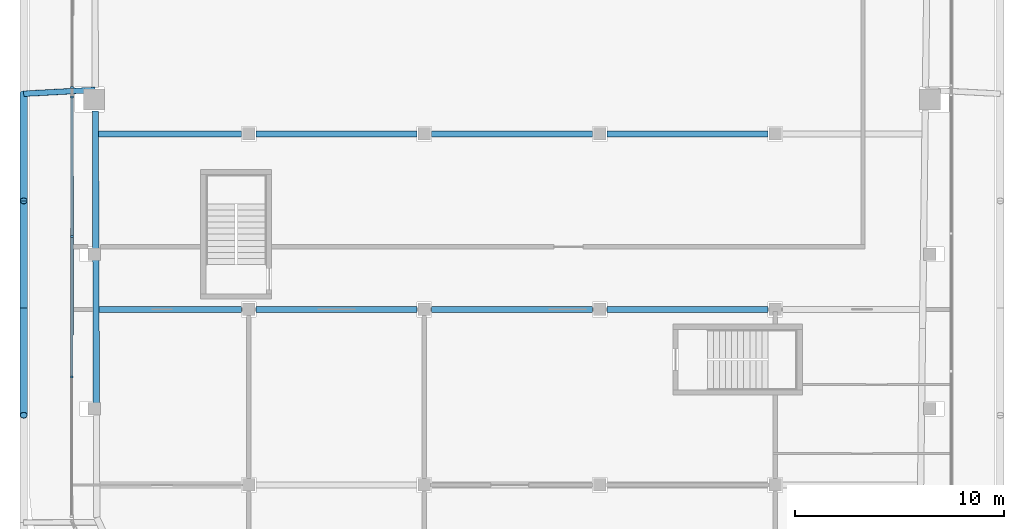
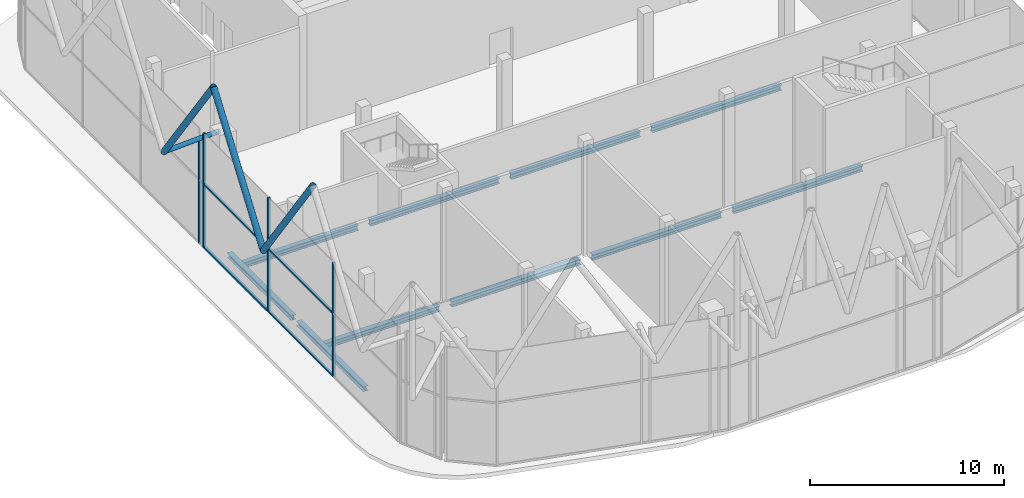
# One storey, part 4 of 25: 12 members, 10 beams, 2 elements without a shape of their own.
"""IFC4 building model written with IfcOpenShell, lengths in metres."""

from ifc_helpers import new_model, si_unit, direction, frame, origin, origin_2d, place, context, subcontext, project, spatial, rectangle, hollow_circle, i_section, extrude, material, layer, layer_set, material_profile, profile_set, type_object, element, aggregate, save


model = new_model("IFC4")

# Units and contexts
model_context = context("Model", 3, precision=1e-05, world=origin(), true_north=direction((0.0, 1.0)))
body_context = subcontext(model_context, "Body", "Model", "MODEL_VIEW")
ifc_project = project(units=[si_unit("LENGTHUNIT", "METRE"), si_unit("AREAUNIT", "SQUARE_METRE"), si_unit("VOLUMEUNIT", "CUBIC_METRE"), si_unit("PLANEANGLEUNIT", "RADIAN"), si_unit("MASSUNIT", "GRAM", prefix="KILO")], contexts=[model_context])

# Site, building, storey
site_placement = place(None, origin())
site = spatial("IfcSite", under=ifc_project, at=site_placement, CompositionType="ELEMENT")
building_placement = place(site_placement, origin())
building = spatial("IfcBuilding", under=site, at=building_placement, Name="Marenta Gate Hotel Tower", CompositionType="ELEMENT")
storey_placement = place(building_placement, frame((0.0, 0.0, 281.300048828125)))
storey = spatial("IfcBuildingStorey", under=building, at=storey_placement, Name="L65", CompositionType="ELEMENT", Elevation=281.300048828125)

# Members
ifc_material_1 = material(Name="Steel S355J2W", Category="steel")
ifc_material_profile_1 = material_profile(ifc_material_1, hollow_circle(Radius=0.177734375, WallThickness=0.01611328125, at=origin_2d()), Name="CHS 355.6x16")
ifc_profile_set_1 = profile_set([ifc_material_profile_1], Name="Steel S355J2W")
member_type_1 = type_object("IfcMemberType", Name="Diagrid diagonal C CHS 355.6x16", PredefinedType="BRACE", material=ifc_profile_set_1)
member_1_placement = place(storey_placement, frame((-23.3701171875, -16.7353515625, 6.739990234375), z_axis=(0.0, -0.580213650922, 0.81446431431), x_axis=(1.0, 0.0, 0.0)))
element("IfcMember", 1, at=member_1_placement, inside=storey, type_object=member_type_1, Name="L65-DG-27", PredefinedType="BRACE", context=body_context, shape_type="SweptSolid", body=[
    extrude(hollow_circle(Radius=0.177734375, WallThickness=0.01611328125, at=origin_2d()), origin(), (0.0, 0.0, 1.0), 8.840087890625),
])
for number, where, z_axis, x_axis, name in (
    (2, (-23.3701171875, -16.7353515625, 6.739990234375), (0.0, 0.580231970533, 0.81445126335), (-1.0, 0.0, 0.0), "L65-DG-28"),
    (3, (-23.3701171875, -6.4765625, 6.739990234375), (0.0, -0.580231970533, 0.81445126335), (1.0, 0.0, 0.0), "L65-DG-29"),
):
    element("IfcMember", number, at=place(storey_placement, frame(where, z_axis=z_axis, x_axis=x_axis)), inside=storey, type_object=member_type_1, Name=name, PredefinedType="BRACE", context=body_context, shape_type="SweptSolid", body=[
        extrude(hollow_circle(Radius=0.177734375, WallThickness=0.01611328125, at=origin_2d()), origin(), (0.0, 0.0, 1.0), 8.84033203125),
    ])

# Beams
ifc_material_2 = material(Name="Steel S355", Category="steel")
ifc_material_profile_2 = material_profile(ifc_material_2, i_section(OverallWidth=0.300048828125, OverallDepth=0.300048828125, WebThickness=0.010986328125, FlangeThickness=0.01904296875, FilletRadius=0.027099609375, at=origin_2d()), Name="HEB 300")
ifc_profile_set_2 = profile_set([ifc_material_profile_2], Name="Steel S355")
beam_type_1 = type_object("IfcBeamType", Name="Edge beam HEB 300", PredefinedType="SPANDREL", material=ifc_profile_set_2)
beam_1_placement = place(storey_placement, frame((-19.893310546875, -21.2919921875, -0.41015625), z_axis=(-0.003335088779, 0.999994438576, 0.0), x_axis=(-0.999994438576, -0.003335088779, 0.0)))
element("IfcBeam", 4, at=beam_1_placement, inside=storey, type_object=beam_type_1, Name="L65-EB-6", PredefinedType="SPANDREL", context=body_context, shape_type="SweptSolid", body=[
    extrude(i_section(OverallWidth=0.300048828125, OverallDepth=0.300048828125, WebThickness=0.010986328125, FlangeThickness=0.01904296875, FilletRadius=0.027099609375, at=origin_2d()), origin(), (0.0, 0.0, 1.0), 6.881103515625),
])
beam_2_placement = place(storey_placement, frame((-19.91796875, -13.890869140625, -0.41015625), z_axis=(-0.003338879552, 0.999994425926, 0.0), x_axis=(-0.999994425926, -0.003338879552, 0.0)))
element("IfcBeam", 5, at=beam_2_placement, inside=storey, type_object=beam_type_1, Name="L65-EB-7", PredefinedType="SPANDREL", context=body_context, shape_type="SweptSolid", body=[
    extrude(i_section(OverallWidth=0.300048828125, OverallDepth=0.300048828125, WebThickness=0.010986328125, FlangeThickness=0.01904296875, FilletRadius=0.027099609375, at=origin_2d()), origin(), (0.0, 0.0, 1.0), 6.580810546875),
])

# Member
ifc_material_3 = material(Name="Steel S355J2W", Category="steel")
ifc_material_profile_3 = material_profile(ifc_material_3, hollow_circle(Radius=0.136474609375, WallThickness=0.012451171875, at=origin_2d()), Name="CHS 273x12.5")
ifc_profile_set_3 = profile_set([ifc_material_profile_3], Name="Steel S355J2W")
member_type_2 = type_object("IfcMemberType", Name="Floor tie CHS 273x12.5", PredefinedType="STRUT", material=ifc_profile_set_3)
member_2_placement = place(storey_placement, frame((-23.3701171875, -6.4765625, 6.739990234375), z_axis=(0.998521127875, 0.054365036433, 0.0), x_axis=(-0.054365036433, 0.998521127875, 0.0)))
element("IfcMember", 6, at=member_2_placement, inside=storey, type_object=member_type_2, Name="L65-DR-20", PredefinedType="STRUT", context=body_context, shape_type="SweptSolid", body=[
    extrude(hollow_circle(Radius=0.136474609375, WallThickness=0.012451171875, at=origin_2d()), origin(), (0.0, 0.0, 1.0), 3.426513671875),
])

# Beams
ifc_material_4 = material(Name="Steel S355", Category="steel")
ifc_material_profile_4 = material_profile(ifc_material_4, i_section(OverallWidth=0.300048828125, OverallDepth=0.340087890625, WebThickness=0.011962890625, FlangeThickness=0.021484375, FilletRadius=0.027099609375, at=origin_2d()), Name="HEB 340")
ifc_profile_set_4 = profile_set([ifc_material_profile_4], Name="Steel S355")
beam_type_2 = type_object("IfcBeamType", Name="Girder HEB 340", PredefinedType="BEAM", material=ifc_profile_set_4)
beam_3_placement = place(storey_placement, frame((-19.75830078125, -16.800048828125, -0.429931640625), z_axis=(1.0, 0.0, 0.0), x_axis=(0.0, 1.0, 0.0)))
element("IfcBeam", 7, at=beam_3_placement, inside=storey, type_object=beam_type_2, Name="L65-GD-6", PredefinedType="BEAM", context=body_context, shape_type="SweptSolid", body=[
    extrude(i_section(OverallWidth=0.300048828125, OverallDepth=0.340087890625, WebThickness=0.011962890625, FlangeThickness=0.021484375, FilletRadius=0.027099609375, at=origin_2d()), origin(), (0.0, 0.0, 1.0), 6.808349609375),
])
beam_4_placement = place(storey_placement, frame((-12.25, -16.800048828125, -0.429931640625), z_axis=(1.0, 0.0, 0.0), x_axis=(0.0, 1.0, 0.0)))
element("IfcBeam", 8, at=beam_4_placement, inside=storey, type_object=beam_type_2, Name="L65-GD-7", PredefinedType="BEAM", context=body_context, shape_type="SweptSolid", body=[
    extrude(i_section(OverallWidth=0.300048828125, OverallDepth=0.340087890625, WebThickness=0.011962890625, FlangeThickness=0.021484375, FilletRadius=0.027099609375, at=origin_2d()), origin(), (0.0, 0.0, 1.0), 7.699951171875),
])
beam_5_placement = place(storey_placement, frame((-3.85009765625, -16.800048828125, -0.429931640625), z_axis=(1.0, 0.0, 0.0), x_axis=(0.0, 1.0, 0.0)))
element("IfcBeam", 9, at=beam_5_placement, inside=storey, type_object=beam_type_2, Name="L65-GD-8", PredefinedType="BEAM", context=body_context, shape_type="SweptSolid", body=[
    extrude(i_section(OverallWidth=0.300048828125, OverallDepth=0.340087890625, WebThickness=0.011962890625, FlangeThickness=0.021484375, FilletRadius=0.027099609375, at=origin_2d()), origin(), (0.0, 0.0, 1.0), 7.7001953125),
])
beam_6_placement = place(storey_placement, frame((4.550048828125, -16.800048828125, -0.429931640625), z_axis=(1.0, 0.0, 0.0), x_axis=(0.0, 1.0, 0.0)))
element("IfcBeam", 10, at=beam_6_placement, inside=storey, type_object=beam_type_2, Name="L65-GD-9", PredefinedType="BEAM", context=body_context, shape_type="SweptSolid", body=[
    extrude(i_section(OverallWidth=0.300048828125, OverallDepth=0.340087890625, WebThickness=0.011962890625, FlangeThickness=0.021484375, FilletRadius=0.027099609375, at=origin_2d()), origin(), (0.0, 0.0, 1.0), 7.699951171875),
])
beam_7_placement = place(storey_placement, frame((-19.786376953125, -8.39990234375, -0.429931640625), z_axis=(1.0, 0.0, 0.0), x_axis=(0.0, 1.0, 0.0)))
element("IfcBeam", 11, at=beam_7_placement, inside=storey, type_object=beam_type_2, Name="L65-GD-11", PredefinedType="BEAM", context=body_context, shape_type="SweptSolid", body=[
    extrude(i_section(OverallWidth=0.300048828125, OverallDepth=0.340087890625, WebThickness=0.011962890625, FlangeThickness=0.021484375, FilletRadius=0.027099609375, at=origin_2d()), origin(), (0.0, 0.0, 1.0), 6.83642578125),
])
beam_8_placement = place(storey_placement, frame((-12.25, -8.39990234375, -0.429931640625), z_axis=(1.0, 0.0, 0.0), x_axis=(0.0, 1.0, 0.0)))
element("IfcBeam", 12, at=beam_8_placement, inside=storey, type_object=beam_type_2, Name="L65-GD-12", PredefinedType="BEAM", context=body_context, shape_type="SweptSolid", body=[
    extrude(i_section(OverallWidth=0.300048828125, OverallDepth=0.340087890625, WebThickness=0.011962890625, FlangeThickness=0.021484375, FilletRadius=0.027099609375, at=origin_2d()), origin(), (0.0, 0.0, 1.0), 7.699951171875),
])
beam_9_placement = place(storey_placement, frame((-3.85009765625, -8.39990234375, -0.429931640625), z_axis=(1.0, 0.0, 0.0), x_axis=(0.0, 1.0, 0.0)))
element("IfcBeam", 13, at=beam_9_placement, inside=storey, type_object=beam_type_2, Name="L65-GD-13", PredefinedType="BEAM", context=body_context, shape_type="SweptSolid", body=[
    extrude(i_section(OverallWidth=0.300048828125, OverallDepth=0.340087890625, WebThickness=0.011962890625, FlangeThickness=0.021484375, FilletRadius=0.027099609375, at=origin_2d()), origin(), (0.0, 0.0, 1.0), 7.7001953125),
])
beam_10_placement = place(storey_placement, frame((4.550048828125, -8.39990234375, -0.429931640625), z_axis=(1.0, 0.0, 0.0), x_axis=(0.0, 1.0, 0.0)))
element("IfcBeam", 14, at=beam_10_placement, inside=storey, type_object=beam_type_2, Name="L65-GD-14", PredefinedType="BEAM", context=body_context, shape_type="SweptSolid", body=[
    extrude(i_section(OverallWidth=0.300048828125, OverallDepth=0.340087890625, WebThickness=0.011962890625, FlangeThickness=0.021484375, FilletRadius=0.027099609375, at=origin_2d()), origin(), (0.0, 0.0, 1.0), 7.699951171875),
])

# Curtain wall, member
ifc_material_5 = material(Name="Tinted insulated glass in bronze anodised frame", Category="glass")
ifc_layer = layer(ifc_material_5, 0.139892578125)
ifc_layer_set = layer_set([ifc_layer], Name="Tinted insulated glass in bronze anodised frame")
curtain_wall_type = type_object("IfcCurtainWallType", Name="Observation deck structural glazing CW3", PredefinedType="NOTDEFINED", material=ifc_layer_set)
curtain_wall_1_placement = place(storey_placement, origin())
curtain_wall_1 = element("IfcCurtainWall", 15, at=curtain_wall_1_placement, inside=storey, type_object=curtain_wall_type, Name="CW3 run G08", PredefinedType="NOTDEFINED")
ifc_material_6 = material(Name="Bronze anodised aluminium", Category="aluminium")
ifc_material_profile_5 = material_profile(ifc_material_6, rectangle(XDim=0.139892578125, YDim=0.10009765625, at=origin_2d()), Name="Mullion CW3 100x140 bronze anodised aluminium")
ifc_profile_set_5 = profile_set([ifc_material_profile_5], Name="Bronze anodised aluminium")
member_type_3 = type_object("IfcMemberType", Name="Mullion CW3 100x140 bronze anodised aluminium", PredefinedType="MULLION", material=ifc_profile_set_5)
member_3_placement = place(storey_placement, frame((-21.050537109375, -6.173583984375, 0.0), z_axis=(0.0, 0.0, 1.0), x_axis=(0.999998809779, -0.001542867898, 0.0)))
member_3 = element("IfcMember", 16, at=member_3_placement, type_object=member_type_3, Name="CW3 mullion 1", PredefinedType="MULLION", context=body_context, shape_type="SweptSolid", body=[
    extrude(rectangle(XDim=0.139892578125, YDim=0.10009765625, at=origin_2d()), origin(), (0.0, 0.0, 1.0), 6.600341796875),
])
aggregate(curtain_wall_1, [member_3])

# Curtain wall, members
curtain_wall_2_placement = place(storey_placement, origin())
curtain_wall_2 = element("IfcCurtainWall", 17, at=curtain_wall_2_placement, inside=storey, type_object=curtain_wall_type, Name="CW3 run G09", PredefinedType="NOTDEFINED")
member_4_placement = place(storey_placement, frame((-21.05126953125, -6.627197265625, 0.0), z_axis=(0.0, 0.0, 1.0), x_axis=(0.999998775196, -0.001565121588, 0.0)))
member_4 = element("IfcMember", 18, at=member_4_placement, type_object=member_type_3, Name="CW3 mullion 1", PredefinedType="MULLION", context=body_context, shape_type="SweptSolid", body=[
    extrude(rectangle(XDim=0.139892578125, YDim=0.10009765625, at=origin_2d()), origin(), (0.0, 0.0, 1.0), 7.199951171875),
])
member_5_placement = place(storey_placement, frame((-21.061767578125, -13.30712890625, 0.0), z_axis=(0.0, 0.0, 1.0), x_axis=(0.999998775196, -0.001565121588, 0.0)))
member_5 = element("IfcMember", 19, at=member_5_placement, type_object=member_type_3, Name="CW3 mullion 2", PredefinedType="MULLION", context=body_context, shape_type="SweptSolid", body=[
    extrude(rectangle(XDim=0.139892578125, YDim=0.10009765625, at=origin_2d()), origin(), (0.0, 0.0, 1.0), 7.199951171875),
])
member_6_placement = place(storey_placement, frame((-21.072265625, -20.037353515625, 0.0), z_axis=(0.0, 0.0, 1.0), x_axis=(0.999998775196, -0.001565121588, 0.0)))
member_6 = element("IfcMember", 20, at=member_6_placement, type_object=member_type_3, Name="CW3 mullion 3", PredefinedType="MULLION", context=body_context, shape_type="SweptSolid", body=[
    extrude(rectangle(XDim=0.139892578125, YDim=0.10009765625, at=origin_2d()), origin(), (0.0, 0.0, 1.0), 7.199951171875),
])
ifc_material_7 = material(Name="Bronze anodised aluminium", Category="aluminium")
ifc_material_profile_6 = material_profile(ifc_material_7, rectangle(XDim=0.139892578125, YDim=0.10009765625, at=origin_2d()), Name="Transom CW3 100x140 bronze anodised aluminium")
ifc_profile_set_6 = profile_set([ifc_material_profile_6], Name="Bronze anodised aluminium")
member_type_4 = type_object("IfcMemberType", Name="Transom CW3 100x140 bronze anodised aluminium", PredefinedType="USERDEFINED", material=ifc_profile_set_6)
member_7_placement = place(storey_placement, frame((-21.05126953125, -6.67724609375, 0.050048828125), z_axis=(-0.00159542688, -0.999998727306, 0.0), x_axis=(0.999998727306, -0.00159542688, 0.0)))
member_7 = element("IfcMember", 21, at=member_7_placement, type_object=member_type_4, Name="CW3 transom 1.1", ObjectType="TRANSOM", PredefinedType="USERDEFINED", context=body_context, shape_type="SweptSolid", body=[
    extrude(rectangle(XDim=0.139892578125, YDim=0.10009765625, at=origin_2d()), origin(), (0.0, 0.0, 1.0), 6.580078125),
])
member_8_placement = place(storey_placement, frame((-21.05126953125, -6.67724609375, 4.0), z_axis=(-0.00159542688, -0.999998727306, 0.0), x_axis=(0.999998727306, -0.00159542688, 0.0)))
member_8 = element("IfcMember", 22, at=member_8_placement, type_object=member_type_4, Name="CW3 transom 1.2", ObjectType="TRANSOM", PredefinedType="USERDEFINED", context=body_context, shape_type="SweptSolid", body=[
    extrude(rectangle(XDim=0.139892578125, YDim=0.10009765625, at=origin_2d()), origin(), (0.0, 0.0, 1.0), 6.580078125),
])
member_9_placement = place(storey_placement, frame((-21.061767578125, -13.357177734375, 0.050048828125), z_axis=(-0.001583383514, -0.999998746448, 0.0), x_axis=(0.999998746448, -0.001583383514, 0.0)))
member_9 = element("IfcMember", 23, at=member_9_placement, type_object=member_type_4, Name="CW3 transom 2.1", ObjectType="TRANSOM", PredefinedType="USERDEFINED", context=body_context, shape_type="SweptSolid", body=[
    extrude(rectangle(XDim=0.139892578125, YDim=0.10009765625, at=origin_2d()), origin(), (0.0, 0.0, 1.0), 6.630126953125),
])
member_10_placement = place(storey_placement, frame((-21.061767578125, -13.357177734375, 4.0), z_axis=(-0.001583383514, -0.999998746448, 0.0), x_axis=(0.999998746448, -0.001583383514, 0.0)))
member_10 = element("IfcMember", 24, at=member_10_placement, type_object=member_type_4, Name="CW3 transom 2.2", ObjectType="TRANSOM", PredefinedType="USERDEFINED", context=body_context, shape_type="SweptSolid", body=[
    extrude(rectangle(XDim=0.139892578125, YDim=0.10009765625, at=origin_2d()), origin(), (0.0, 0.0, 1.0), 6.630126953125),
])
aggregate(curtain_wall_2, [member_4, member_5, member_6, member_7, member_8, member_9, member_10])

save(model, "model.ifc")
